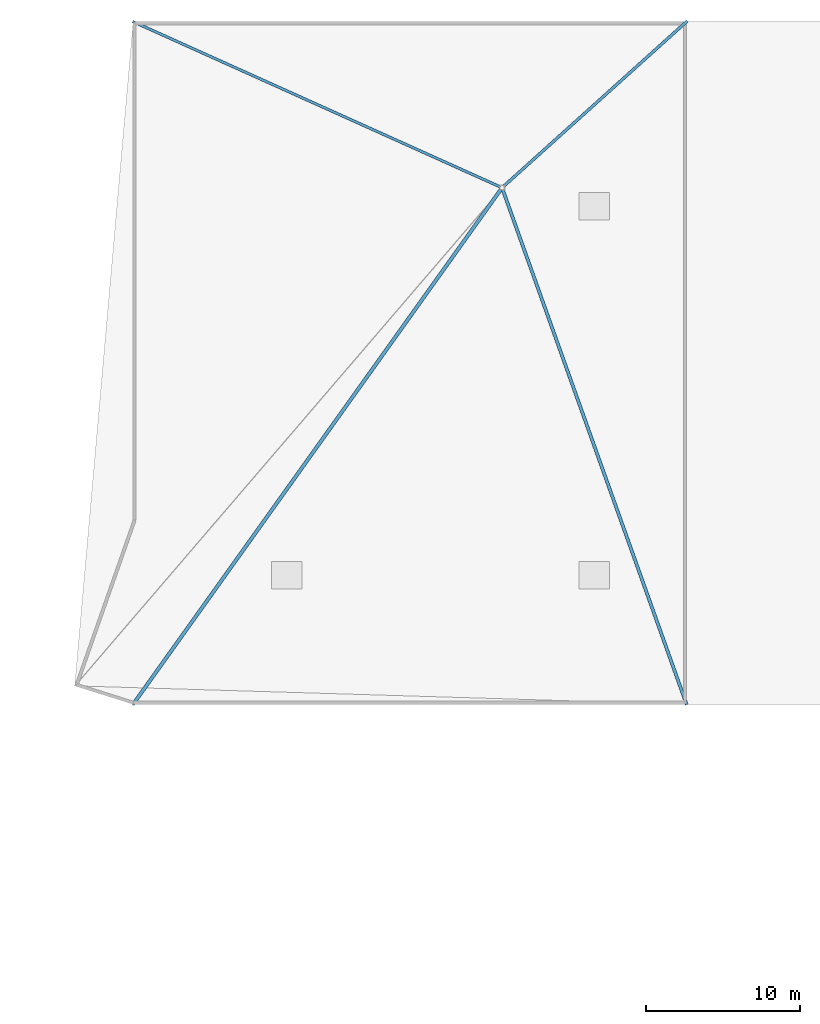
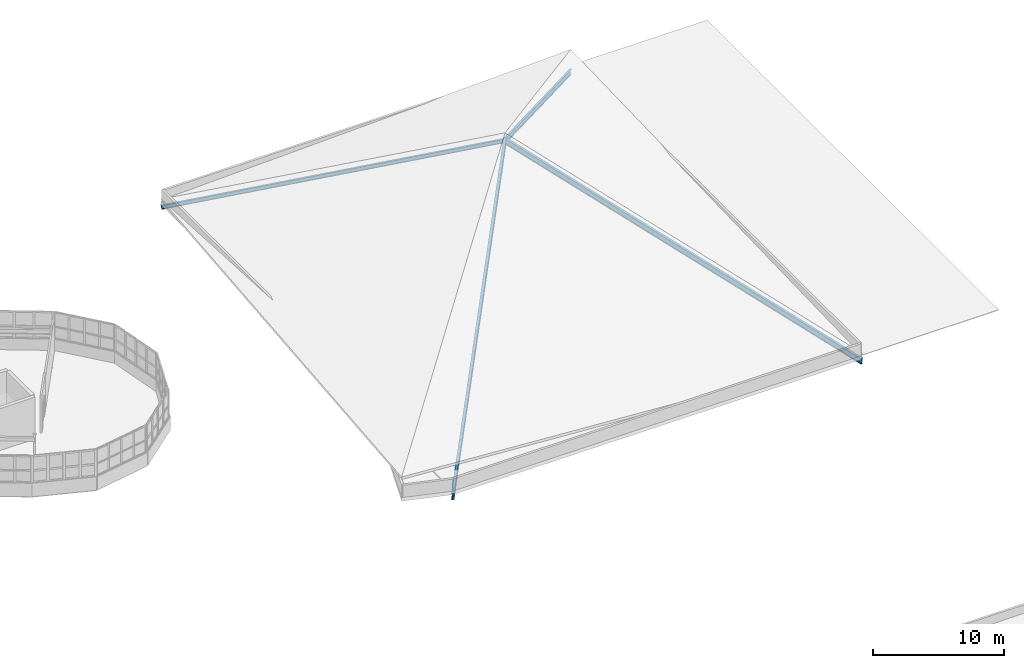
# One storey, part 45 of 79: 4 members.
"""IFC4 building model written with IfcOpenShell, lengths in metres."""

from ifc_helpers import new_model, si_unit, direction, frame, origin, origin_2d, place, context, subcontext, project, spatial, i_section, extrude, material, material_profile, profile_set, type_object, element, save


model = new_model("IFC4")

# Units and contexts
model_context = context("Model", 3, precision=1e-05, world=origin(), true_north=direction((0.0, 1.0)))
body_context = subcontext(model_context, "Body", "Model", "MODEL_VIEW")
ifc_project = project(units=[si_unit("LENGTHUNIT", "METRE"), si_unit("AREAUNIT", "SQUARE_METRE"), si_unit("VOLUMEUNIT", "CUBIC_METRE"), si_unit("PLANEANGLEUNIT", "RADIAN"), si_unit("MASSUNIT", "GRAM", prefix="KILO")], contexts=[model_context])

# Site, building, storey
site_placement = place(None, origin())
site = spatial("IfcSite", under=ifc_project, at=site_placement, CompositionType="ELEMENT")
building_placement = place(site_placement, origin())
building = spatial("IfcBuilding", under=site, at=building_placement, Name="Tarnwether General Hospital", CompositionType="ELEMENT")
storey_placement = place(building_placement, frame((0.0, 0.0, 18.300048828125)))
storey = spatial("IfcBuildingStorey", under=building, at=storey_placement, Name="L04", CompositionType="ELEMENT", Elevation=18.300048828125)

# Members
ifc_material_1 = material(Name="Steel Grade 350 (350 MPa)", Category="steel")
ifc_material_profile_1 = material_profile(ifc_material_1, i_section(OverallWidth=0.22802734375, OverallDepth=0.60205078125, WebThickness=0.010498046875, FlangeThickness=0.014892578125, at=origin_2d()), Name="610UB101")
ifc_profile_set_1 = profile_set([ifc_material_profile_1], Name="Steel Grade 350 (350 MPa)")
member_type_1 = type_object("IfcMemberType", Name="MB-RF1", PredefinedType="RAFTER", material=ifc_profile_set_1)
member_1_placement = place(storey_placement, frame((144.0, 81.60009765625, -0.199951171875), z_axis=(0.578041223665, 0.809254185048, 0.104766443706), x_axis=(-0.813732272689, 0.58123987164, 0.0)))
element("IfcMember", 1, at=member_1_placement, inside=storey, type_object=member_type_1, Name="Outpatient North Origami Hip Rafter SW 13", PredefinedType="RAFTER", context=body_context, shape_type="SweptSolid", body=[
    extrude(i_section(OverallWidth=0.22802734375, OverallDepth=0.60205078125, WebThickness=0.010498046875, FlangeThickness=0.014892578125, at=origin_2d()), origin(), (0.0, 0.0, 1.0), 41.51953125),
])
ifc_material_2 = material(Name="Steel Grade 350 (350 MPa)", Category="steel")
ifc_material_profile_2 = material_profile(ifc_material_2, i_section(OverallWidth=0.208984375, OverallDepth=0.528076171875, WebThickness=0.009521484375, FlangeThickness=0.01318359375, at=origin_2d()), Name="530UB82.0")
ifc_profile_set_2 = profile_set([ifc_material_profile_2], Name="Steel Grade 350 (350 MPa)")
member_type_2 = type_object("IfcMemberType", Name="MB-RF2", PredefinedType="RAFTER", material=ifc_profile_set_2)
member_2_placement = place(storey_placement, frame((180.0, 81.60009765625, -0.199951171875), z_axis=(-0.333865548954, 0.934819461565, 0.121022185989), x_axis=(-0.94174144715, -0.336337697441, 0.0)))
element("IfcMember", 2, at=member_2_placement, inside=storey, type_object=member_type_2, Name="Outpatient North Origami Hip Rafter SE 14", PredefinedType="RAFTER", context=body_context, shape_type="SweptSolid", body=[
    extrude(i_section(OverallWidth=0.208984375, OverallDepth=0.528076171875, WebThickness=0.009521484375, FlangeThickness=0.01318359375, at=origin_2d()), origin(), (0.0, 0.0, 1.0), 35.942626953125),
])
ifc_material_3 = material(Name="Steel Grade 350 (350 MPa)", Category="steel")
ifc_material_profile_3 = material_profile(ifc_material_3, i_section(OverallWidth=0.18994140625, OverallDepth=0.4541015625, WebThickness=0.008544921875, FlangeThickness=0.0126953125, at=origin_2d()), Name="460UB67.1")
ifc_profile_set_3 = profile_set([ifc_material_profile_3], Name="Steel Grade 350 (350 MPa)")
member_type_3 = type_object("IfcMemberType", Name="MB-RF3", PredefinedType="RAFTER", material=ifc_profile_set_3)
member_3_placement = place(storey_placement, frame((180.0, 126.0, -0.199951171875), z_axis=(-0.717698368439, -0.645931451917, 0.260156897593), x_axis=(0.668966402596, -0.743292642367, 0.0)))
element("IfcMember", 3, at=member_3_placement, inside=storey, type_object=member_type_3, Name="Outpatient North Origami Hip Rafter NE 15", PredefinedType="RAFTER", context=body_context, shape_type="SweptSolid", body=[
    extrude(i_section(OverallWidth=0.18994140625, OverallDepth=0.4541015625, WebThickness=0.008544921875, FlangeThickness=0.0126953125, at=origin_2d()), origin(), (0.0, 0.0, 1.0), 16.72021484375),
])
ifc_material_4 = material(Name="Steel Grade 350 (350 MPa)", Category="steel")
ifc_material_profile_4 = material_profile(ifc_material_4, i_section(OverallWidth=0.1708984375, OverallDepth=0.35595703125, WebThickness=0.00732421875, FlangeThickness=0.011474609375, at=origin_2d()), Name="360UB50.7")
ifc_profile_set_4 = profile_set([ifc_material_profile_4], Name="Steel Grade 350 (350 MPa)")
member_type_4 = type_object("IfcMemberType", Name="MB-RF4", PredefinedType="RAFTER", material=ifc_profile_set_4)
member_4_placement = place(storey_placement, frame((144.0, 126.0, -0.199951171875), z_axis=(0.899714630283, -0.404873414102, 0.163067785317), x_axis=(0.410366220204, 0.91192081088, 0.0)))
element("IfcMember", 4, at=member_4_placement, inside=storey, type_object=member_type_4, Name="Outpatient North Origami Hip Rafter NW 16", PredefinedType="RAFTER", context=body_context, shape_type="SweptSolid", body=[
    extrude(i_section(OverallWidth=0.1708984375, OverallDepth=0.35595703125, WebThickness=0.00732421875, FlangeThickness=0.011474609375, at=origin_2d()), origin(), (0.0, 0.0, 1.0), 26.675048828125),
])

save(model, "model.ifc")
